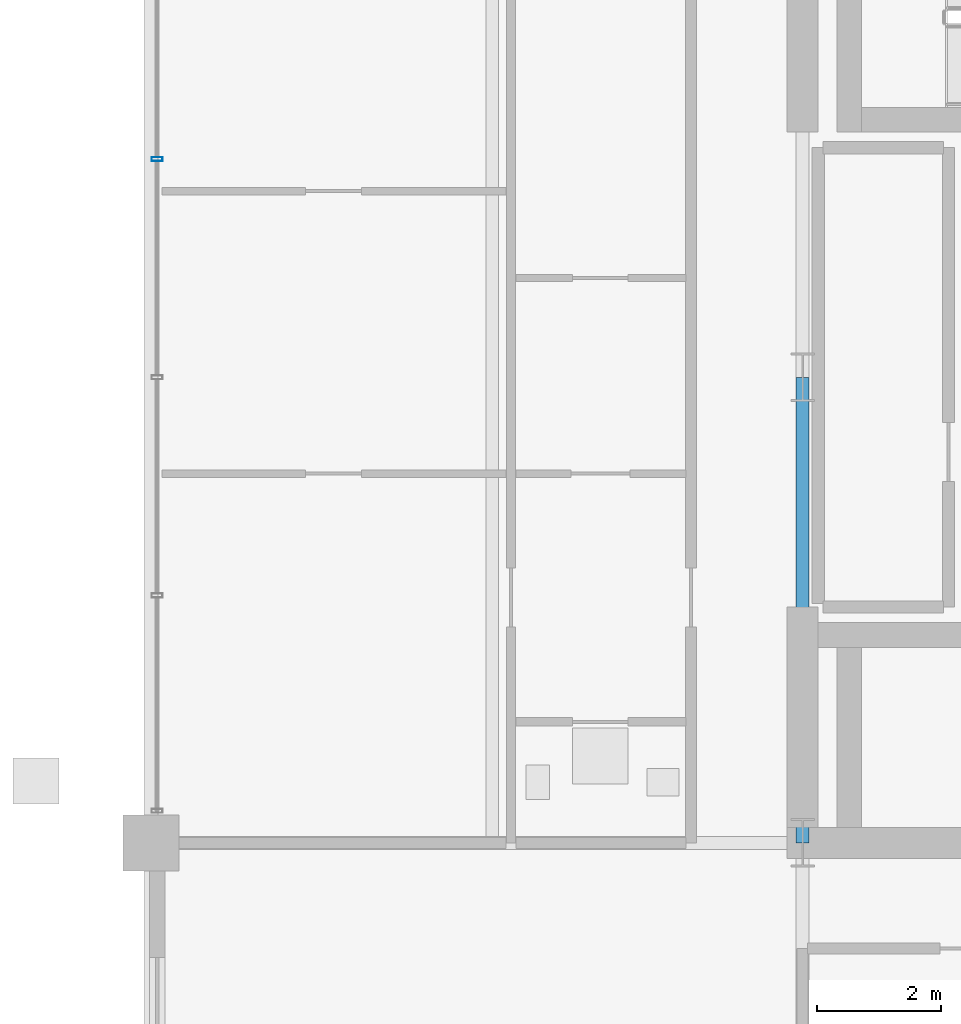
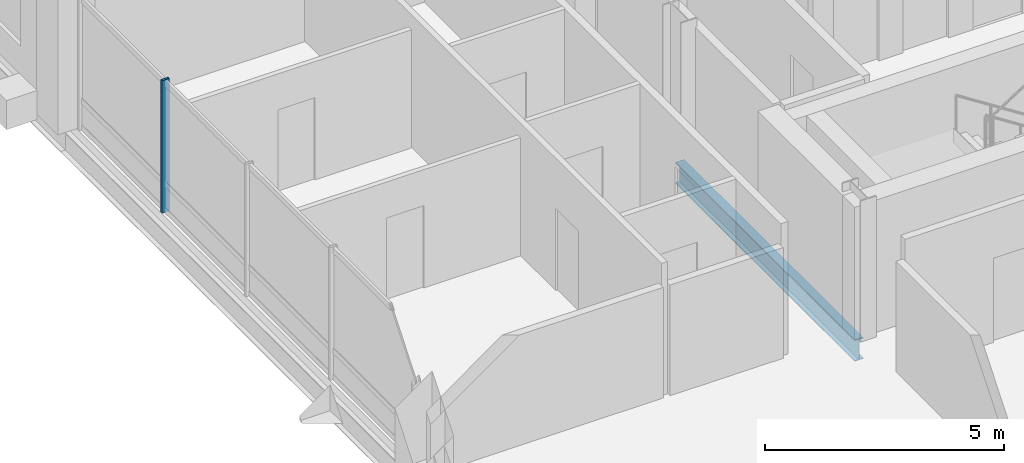
# One storey, part 7 of 21: 1 beam, 1 member, 1 element without a shape of its own.
"""IFC4 building model written with IfcOpenShell, lengths in metres."""

from ifc_helpers import new_model, si_unit, direction, frame, origin, origin_2d, place, context, subcontext, project, spatial, hollow_rectangle, i_section, extrude, material, layer, layer_set, material_profile, profile_set, type_object, element, aggregate, save


model = new_model("IFC4")

# Units and contexts
model_context = context("Model", 3, precision=1e-05, world=origin(), true_north=direction((0.0, 1.0)))
body_context = subcontext(model_context, "Body", "Model", "MODEL_VIEW")
ifc_project = project(units=[si_unit("LENGTHUNIT", "METRE"), si_unit("AREAUNIT", "SQUARE_METRE"), si_unit("VOLUMEUNIT", "CUBIC_METRE"), si_unit("PLANEANGLEUNIT", "RADIAN"), si_unit("MASSUNIT", "GRAM", prefix="KILO")], contexts=[model_context])

# Site, building, storey
site_placement = place(None, origin())
site = spatial("IfcSite", under=ifc_project, at=site_placement, CompositionType="ELEMENT")
building_placement = place(site_placement, origin())
building = spatial("IfcBuilding", under=site, at=building_placement, Name="Barlavira Tower and Art Museum", CompositionType="ELEMENT")
storey_placement = place(building_placement, frame((0.0, 0.0, 254.699951171875)))
storey = spatial("IfcBuildingStorey", under=building, at=storey_placement, Name="L66", CompositionType="ELEMENT", Elevation=254.699951171875)

# Curtain wall, member
ifc_material_1 = material(Name="Low-iron coastal laminated glass", Category="glass")
ifc_layer = layer(ifc_material_1, 0.2099609375, Name="Low-iron coastal laminated glass")
ifc_layer_set = layer_set([ifc_layer], Name="Low-iron coastal laminated glass")
curtain_wall_type = type_object("IfcCurtainWallType", Name="Pale-Metal Unitised Curtain Wall Zone 4", PredefinedType="NOTDEFINED", material=ifc_layer_set)
curtain_wall_placement = place(storey_placement, origin())
curtain_wall = element("IfcCurtainWall", 1, at=curtain_wall_placement, inside=storey, type_object=curtain_wall_type, Name="L66 Curtain Wall CW4-L66-W-B3", PredefinedType="NOTDEFINED")
ifc_material_2 = material(Name="Pale anodised aluminium", Category="aluminium")
ifc_material_profile_1 = material_profile(ifc_material_2, hollow_rectangle(XDim=0.06494140625, YDim=0.179931640625, WallThickness=0.00390625, at=origin_2d()), Name="ALU-MULL 65x180x4")
ifc_profile_set_1 = profile_set([ifc_material_profile_1], Name="Pale anodised aluminium")
member_type = type_object("IfcMemberType", Name="Curtain Wall Pale-Metal Mullion 65x180", PredefinedType="MULLION", material=ifc_profile_set_1)
member_placement = place(storey_placement, frame((-16.89990234375, 3.514892578125, 0.0), z_axis=(0.0, 0.0, 1.0), x_axis=(0.0, -1.0, 0.0)))
member = element("IfcMember", 2, at=member_placement, type_object=member_type, Name="CW4-L66-W-B3 Mullion 1", PredefinedType="MULLION", context=body_context, shape_type="SweptSolid", body=[
    extrude(hollow_rectangle(XDim=0.06494140625, YDim=0.179931640625, WallThickness=0.00390625, at=origin_2d()), origin(), (0.0, 0.0, 1.0), 3.380126953125),
])
aggregate(curtain_wall, [member])

# Beam
ifc_material_3 = material(Name="Steel S355", Category="steel")
ifc_material_profile_2 = material_profile(ifc_material_3, i_section(OverallWidth=0.2109375, OverallDepth=0.5390625, WebThickness=0.01171875, FlangeThickness=0.018798828125, at=origin_2d()), Name="W530x109.0")
ifc_profile_set_2 = profile_set([ifc_material_profile_2], Name="Steel S355")
beam_type = type_object("IfcBeamType", Name="Zone 3-4 Primary Floor Girder W530x109 Steel S355", PredefinedType="BEAM", material=ifc_profile_set_2)
beam_placement = place(storey_placement, frame((-6.5, -7.5, -0.489501953125), z_axis=(0.0, 1.0, 0.0), x_axis=(-1.0, 0.0, 0.0)))
element("IfcBeam", 3, at=beam_placement, inside=storey, type_object=beam_type, Name="L66 Girder C-W1", PredefinedType="BEAM", context=body_context, shape_type="SweptSolid", body=[
    extrude(i_section(OverallWidth=0.2109375, OverallDepth=0.5390625, WebThickness=0.01171875, FlangeThickness=0.018798828125, at=origin_2d()), origin(), (0.0, 0.0, 1.0), 7.5),
])

save(model, "model.ifc")
